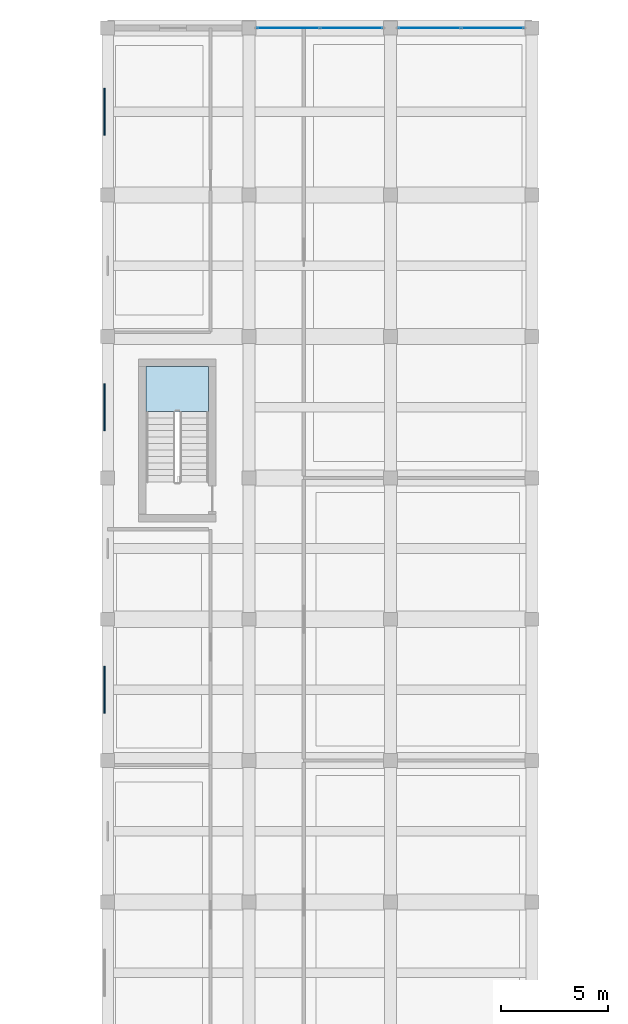
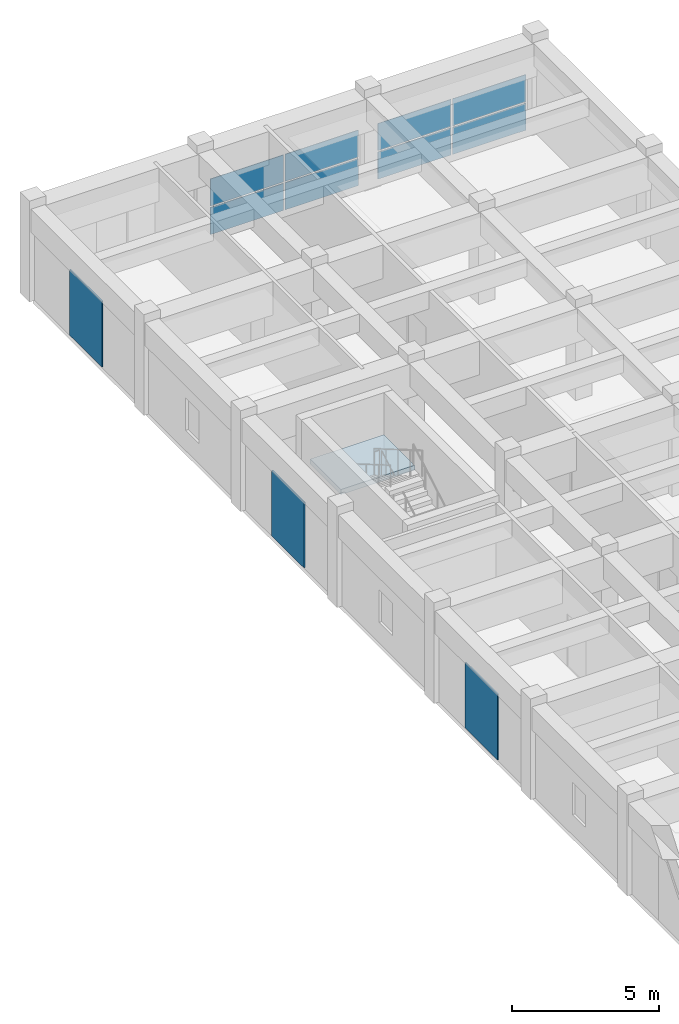
# One storey, part 107 of 147: 11 plates, 1 slab, 3 elements without a shape of their own.
"""IFC4 building model written with IfcOpenShell, lengths in metres."""

from ifc_helpers import new_model, si_unit, direction, frame, origin, origin_2d, place, context, subcontext, project, spatial, polyline, rectangle, outline, extrude, material, layer, layer_set, type_object, element, aggregate, save


model = new_model("IFC4")

# Units and contexts
model_context = context("Model", 3, precision=1e-05, world=origin(), true_north=direction((0.0, 1.0)))
body_context = subcontext(model_context, "Body", "Model", "MODEL_VIEW")
ifc_project = project(units=[si_unit("LENGTHUNIT", "METRE"), si_unit("AREAUNIT", "SQUARE_METRE"), si_unit("VOLUMEUNIT", "CUBIC_METRE"), si_unit("PLANEANGLEUNIT", "RADIAN"), si_unit("MASSUNIT", "GRAM", prefix="KILO")], contexts=[model_context])

# Site, building, storey
site_placement = place(None, origin())
site = spatial("IfcSite", under=ifc_project, at=site_placement, CompositionType="ELEMENT")
building_placement = place(site_placement, origin())
building = spatial("IfcBuilding", under=site, at=building_placement, Name="Karori Crest Natural Sciences Institute", CompositionType="ELEMENT")
storey_placement = place(building_placement, frame((0.0, 0.0, 9.10009765625)))
storey = spatial("IfcBuildingStorey", under=building, at=storey_placement, Name="L02", CompositionType="ELEMENT", Elevation=9.10009765625)

# Curtain wall, plates
ifc_material_1 = material(Name="Anodised architectural aluminium 6063-T6", Category="aluminium")
curtain_wall_type = type_object("IfcCurtainWallType", Name="CWT-19", PredefinedType="NOTDEFINED", material=ifc_material_1)
curtain_wall_1_placement = place(storey_placement, origin())
curtain_wall_1 = element("IfcCurtainWall", 1, at=curtain_wall_1_placement, inside=storey, type_object=curtain_wall_type, Name="Curtain wall CW-0290", PredefinedType="NOTDEFINED")
ifc_material_2 = material(Name="Double low-E laminated glass", Category="glass")
ifc_layer_1 = layer(ifc_material_2, 0.02392578125, Name="Double low-E laminated glass")
ifc_layer_set_1 = layer_set([ifc_layer_1], Name="Double low-E laminated glass")
plate_type_1 = type_object("IfcPlateType", Name="CWP-01", PredefinedType="CURTAIN_PANEL", material=ifc_layer_set_1)
plate_1_placement = place(storey_placement, frame((15.82763671875, 162.199951171875, 0.059814453125), z_axis=(0.0, 0.0, 1.0), x_axis=(1.0, 0.0, 0.0)))
plate_1 = element("IfcPlate", 2, at=plate_1_placement, type_object=plate_type_1, Name="CW-0290 panel 1.1", PredefinedType="CURTAIN_PANEL", context=body_context, shape_type="SweptSolid", body=[
    extrude(rectangle(XDim=2.87939453125, YDim=0.02392578125, at=origin_2d()), origin(), (0.0, 0.0, 1.0), 1.12744140625),
])
plate_2_placement = place(storey_placement, frame((15.82763671875, 162.199951171875, 1.247314453125), z_axis=(0.0, 0.0, 1.0), x_axis=(1.0, 0.0, 0.0)))
plate_2 = element("IfcPlate", 3, at=plate_2_placement, type_object=plate_type_1, Name="CW-0290 panel 1.2", PredefinedType="CURTAIN_PANEL", context=body_context, shape_type="SweptSolid", body=[
    extrude(rectangle(XDim=2.87939453125, YDim=0.02392578125, at=origin_2d()), origin(), (0.0, 0.0, 1.0), 1.12744140625),
])
plate_3_placement = place(storey_placement, frame((18.772216796875, 162.199951171875, 0.059814453125), z_axis=(0.0, 0.0, 1.0), x_axis=(1.0, 0.0, 0.0)))
plate_3 = element("IfcPlate", 4, at=plate_3_placement, type_object=plate_type_1, Name="CW-0290 panel 2.1", PredefinedType="CURTAIN_PANEL", context=body_context, shape_type="SweptSolid", body=[
    extrude(rectangle(XDim=2.87939453125, YDim=0.02392578125, at=origin_2d()), origin(), (0.0, 0.0, 1.0), 1.12744140625),
])
plate_4_placement = place(storey_placement, frame((18.772216796875, 162.199951171875, 1.247314453125), z_axis=(0.0, 0.0, 1.0), x_axis=(1.0, 0.0, 0.0)))
plate_4 = element("IfcPlate", 5, at=plate_4_placement, type_object=plate_type_1, Name="CW-0290 panel 2.2", PredefinedType="CURTAIN_PANEL", context=body_context, shape_type="SweptSolid", body=[
    extrude(rectangle(XDim=2.87939453125, YDim=0.02392578125, at=origin_2d()), origin(), (0.0, 0.0, 1.0), 1.12744140625),
])
aggregate(curtain_wall_1, [plate_1, plate_2, plate_3, plate_4])

curtain_wall_2_placement = place(storey_placement, origin())
curtain_wall_2 = element("IfcCurtainWall", 6, at=curtain_wall_2_placement, inside=storey, type_object=curtain_wall_type, Name="Curtain wall CW-0291", PredefinedType="NOTDEFINED")
plate_5_placement = place(storey_placement, frame((22.427734375, 162.199951171875, 0.059814453125), z_axis=(0.0, 0.0, 1.0), x_axis=(1.0, 0.0, 0.0)))
plate_5 = element("IfcPlate", 7, at=plate_5_placement, type_object=plate_type_1, Name="CW-0291 panel 1.1", PredefinedType="CURTAIN_PANEL", context=body_context, shape_type="SweptSolid", body=[
    extrude(rectangle(XDim=2.87939453125, YDim=0.02392578125, at=origin_2d()), origin(), (0.0, 0.0, 1.0), 1.12744140625),
])
plate_6_placement = place(storey_placement, frame((22.427734375, 162.199951171875, 1.247314453125), z_axis=(0.0, 0.0, 1.0), x_axis=(1.0, 0.0, 0.0)))
plate_6 = element("IfcPlate", 8, at=plate_6_placement, type_object=plate_type_1, Name="CW-0291 panel 1.2", PredefinedType="CURTAIN_PANEL", context=body_context, shape_type="SweptSolid", body=[
    extrude(rectangle(XDim=2.87939453125, YDim=0.02392578125, at=origin_2d()), origin(), (0.0, 0.0, 1.0), 1.12744140625),
])
plate_7_placement = place(storey_placement, frame((25.372314453125, 162.199951171875, 0.059814453125), z_axis=(0.0, 0.0, 1.0), x_axis=(1.0, 0.0, 0.0)))
plate_7 = element("IfcPlate", 9, at=plate_7_placement, type_object=plate_type_1, Name="CW-0291 panel 2.1", PredefinedType="CURTAIN_PANEL", context=body_context, shape_type="SweptSolid", body=[
    extrude(rectangle(XDim=2.87939453125, YDim=0.02392578125, at=origin_2d()), origin(), (0.0, 0.0, 1.0), 1.12744140625),
])
plate_8_placement = place(storey_placement, frame((25.372314453125, 162.199951171875, 1.247314453125), z_axis=(0.0, 0.0, 1.0), x_axis=(1.0, 0.0, 0.0)))
plate_8 = element("IfcPlate", 10, at=plate_8_placement, type_object=plate_type_1, Name="CW-0291 panel 2.2", PredefinedType="CURTAIN_PANEL", context=body_context, shape_type="SweptSolid", body=[
    extrude(rectangle(XDim=2.87939453125, YDim=0.02392578125, at=origin_2d()), origin(), (0.0, 0.0, 1.0), 1.12744140625),
])
aggregate(curtain_wall_2, [plate_5, plate_6, plate_7, plate_8])

# Plates
ifc_layer_2 = layer(ifc_material_1, 0.013916015625, Name="Anodised architectural aluminium 6063-T6")
ifc_layer_set_2 = layer_set([ifc_layer_2], Name="Anodised architectural aluminium 6063-T6")
plate_type_2 = type_object("IfcPlateType", Name="PLT-01", PredefinedType="SHEET", material=ifc_layer_set_2)
for number, where, z_axis, x_axis, name in (
    (11, (7.25, 131.300048828125, 0.07470703125), (0.0, 0.0, 1.0), (1.0, 0.0, 0.0), "Metabolist service chase cladding PL-0006"),
    (12, (7.25, 144.5, 0.07470703125), (0.0, 0.0, 1.0), (1.0, 0.0, 0.0), "Metabolist service chase cladding PL-0007"),
    (13, (7.25, 158.300048828125, 0.07470703125), (0.0, 0.0, 1.0), (1.0, 0.0, 0.0), "Metabolist service chase cladding PL-0008"),
):
    element("IfcPlate", number, at=place(storey_placement, frame(where, z_axis=z_axis, x_axis=x_axis)), inside=storey, type_object=plate_type_2, Name=name, PredefinedType="SHEET", context=body_context, shape_type="SweptSolid", body=[
        extrude(rectangle(XDim=0.052001953125, YDim=2.199951171875, at=origin_2d()), origin(), (0.0, 0.0, 1.0), 2.735107421875),
    ])

# Stair, slab
ifc_material_3 = material(Name="Concrete 40 MPa", Category="concrete")
stair_type = type_object("IfcStairType", Name="STT-01", PredefinedType="HALF_TURN_STAIR", material=ifc_material_3)
stair_placement = place(storey_placement, origin())
stair = element("IfcStair", 14, at=stair_placement, inside=storey, type_object=stair_type, Name="Protected stair ST-06-L02", PredefinedType="HALF_TURN_STAIR")
ifc_layer_3 = layer(ifc_material_3, 0.2099609375, Name="Concrete 40 MPa")
ifc_layer_set_3 = layer_set([ifc_layer_3], Name="Concrete 40 MPa")
slab_type = type_object("IfcSlabType", Name="SLT-11", PredefinedType="LANDING", material=ifc_layer_set_3)
slab_placement = place(storey_placement, frame((0.0, 0.0, 1.889892578125)))
slab = element("IfcSlab", 15, at=slab_placement, type_object=slab_type, Name="ST-06-L02 landing 1", PredefinedType="LANDING", context=body_context, shape_type="SweptSolid", body=[
    extrude(outline(polyline([(12.10009765625, 144.300048828125), (12.10009765625, 146.39990234375), (9.199951171875, 146.39990234375), (9.199951171875, 144.300048828125), (12.10009765625, 144.300048828125)])), origin(), (0.0, 0.0, 1.0), 0.2099609375),
])
aggregate(stair, [slab])

save(model, "model.ifc")
